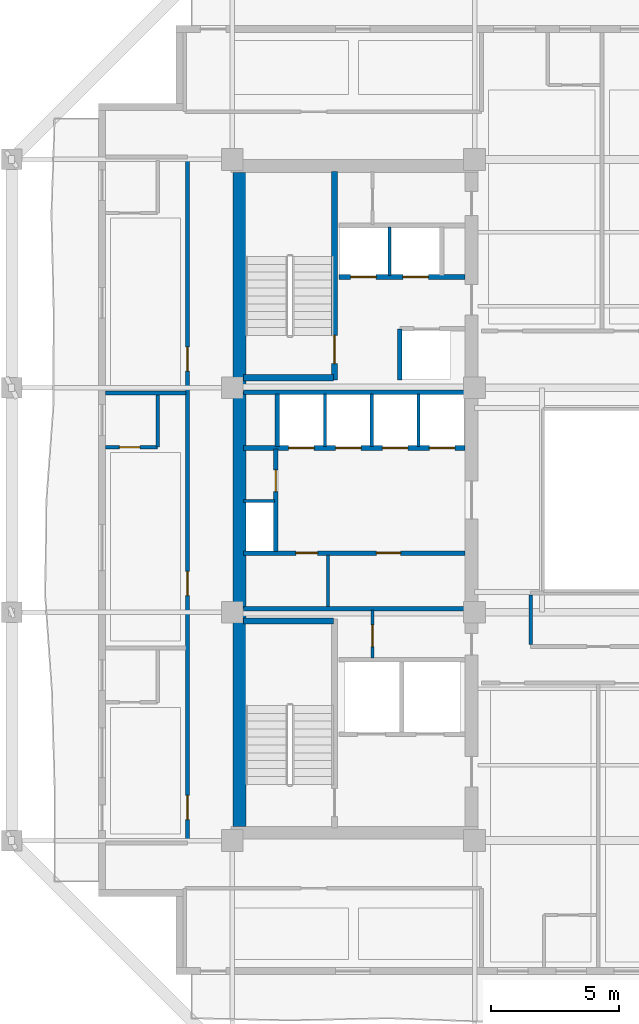
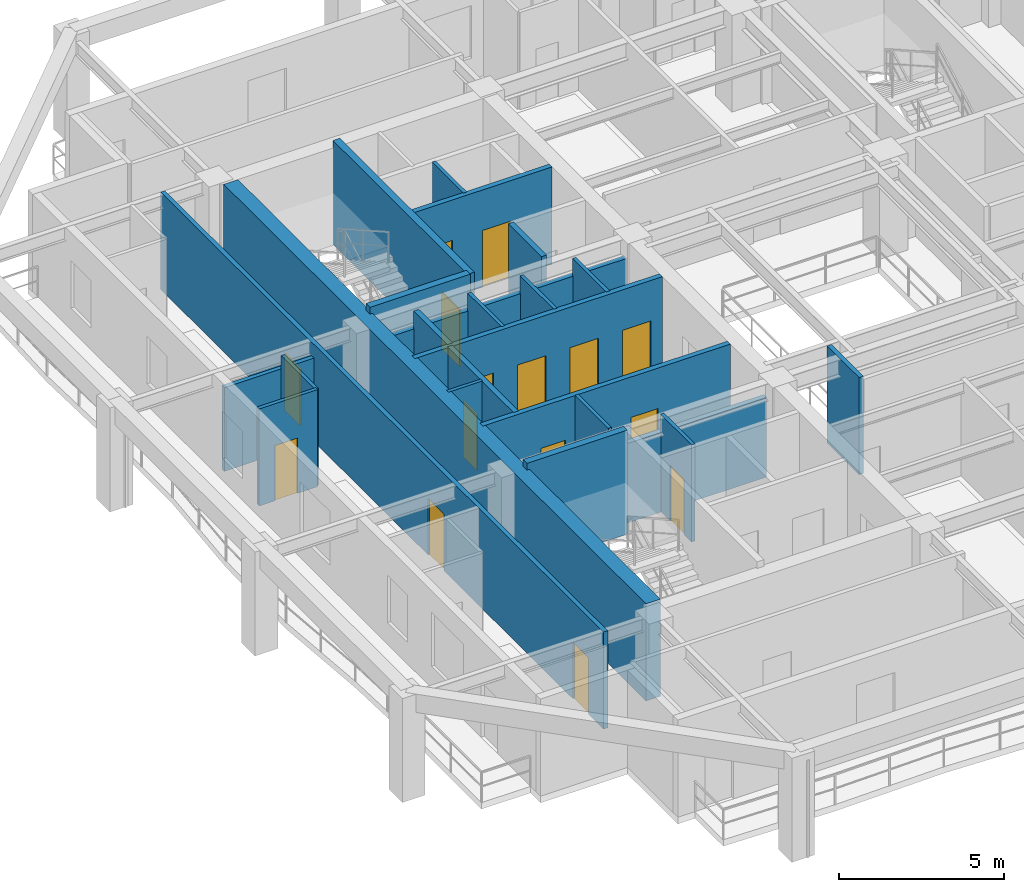
# One storey, part 4 of 12: 24 walls, 15 doors, 15 openings.
"""IFC4 building model written with IfcOpenShell, lengths in metres."""

from ifc_helpers import new_model, si_unit, direction, frame, frame_2d, origin, place, context, subcontext, project, spatial, rectangle, extrude, material, layer, layer_set, type_object, element, fill, save


model = new_model("IFC4")

# Units and contexts
model_context = context("Model", 3, precision=1e-05, world=origin(), true_north=direction((0.0, 1.0)))
body_context = subcontext(model_context, "Body", "Model", "MODEL_VIEW")
ifc_project = project(units=[si_unit("LENGTHUNIT", "METRE"), si_unit("AREAUNIT", "SQUARE_METRE"), si_unit("VOLUMEUNIT", "CUBIC_METRE"), si_unit("PLANEANGLEUNIT", "RADIAN"), si_unit("MASSUNIT", "GRAM", prefix="KILO")], contexts=[model_context])

# Site, building, storey
site_placement = place(None, origin())
site = spatial("IfcSite", under=ifc_project, at=site_placement, CompositionType="ELEMENT")
building_placement = place(site_placement, origin())
building = spatial("IfcBuilding", under=site, at=building_placement, Name="Kundavana Baori Tower", CompositionType="ELEMENT")
storey_placement = place(building_placement, frame((0.0, 0.0, 134.800048828125)))
storey = spatial("IfcBuildingStorey", under=building, at=storey_placement, Name="L32", CompositionType="ELEMENT", Elevation=134.800048828125)

# Wall
ifc_material_1 = material(Name="Concrete C50/60", Category="concrete")
ifc_layer_1 = layer(ifc_material_1, 0.39990234375, Name="WL-CORE-400")
ifc_layer_set_1 = layer_set([ifc_layer_1], Name="Concrete C50/60")
wall_type_1 = type_object("IfcWallType", Name="WL-CORE-400", PredefinedType="SHEAR", material=ifc_layer_set_1)
wall_1_placement = place(storey_placement, frame((15.89990234375, 23.860107421875, 0.0), z_axis=(0.0, 0.0, 1.0), x_axis=(1.0, 0.0, 0.0)))
element("IfcWall", 1, at=wall_1_placement, inside=storey, type_object=wall_type_1, Name="WL-L32-ST1-N", PredefinedType="SHEAR", context=body_context, shape_type="SweptSolid", body=[
    extrude(rectangle(XDim=3.52001953125, YDim=0.239990234375, at=frame_2d((1.760009765625, 0.0))), origin(), (0.0, 0.0, 1.0), 3.849853515625),
])

# Wall, opening, door
wall_2_placement = place(storey_placement, frame((19.4599609375, 33.300048828125, 0.0), z_axis=(0.0, 0.0, 1.0), x_axis=(0.0, 1.0, 0.0)))
wall_2 = element("IfcWall", 2, at=wall_2_placement, inside=storey, type_object=wall_type_1, Name="WL-L32-ST2-E", PredefinedType="SHEAR", context=body_context, shape_type="SweptSolid", body=[
    extrude(rectangle(XDim=8.179931640625, YDim=0.239990234375, at=frame_2d((4.08984375, 0.0))), origin(), (0.0, 0.0, 1.0), 3.849853515625),
])
opening_1_placement = place(wall_2_placement, frame((0.64990234375, 0.0, 0.0)))
opening_1 = element("IfcOpeningElement", 3, at=opening_1_placement, cuts=wall_2, Name="Opening FD-110", PredefinedType="OPENING", context=body_context, shape_type="SweptSolid", body=[
    extrude(rectangle(XDim=1.10009765625, YDim=2.10009765625, at=frame_2d((0.550048828125, 1.050048828125))), frame((0.0, 0.1298828125, 0.0), z_axis=(0.0, -1.0, 0.0), x_axis=(1.0, 0.0, 0.0)), (0.0, 0.0, 1.0), 0.260009765625),
])
ifc_material_2 = material(Name="Galvanised Steel Fire-Rated Door Leaf", Category="steel")
door_type_1 = type_object("IfcDoorType", Name="DR-FD120-1100", OperationType="NOTDEFINED", PredefinedType="DOOR", material=ifc_material_2)
door_1_placement = place(opening_1_placement, origin())
door_1 = element("IfcDoor", 4, at=door_1_placement, inside=storey, type_object=door_type_1, Name="DR-L32-ST2", OperationType="SINGLE_SWING_RIGHT", OverallHeight=2.10009765625, OverallWidth=1.10009765625, PredefinedType="DOOR", context=body_context, shape_type="SweptSolid", body=[
    extrude(rectangle(XDim=1.10009765625, YDim=2.10009765625, at=frame_2d((0.550048828125, 1.050048828125))), frame((0.0, 0.02490234375, 0.0), z_axis=(0.0, -1.0, 0.0), x_axis=(1.0, 0.0, 0.0)), (0.0, 0.0, 1.0), 0.050048828125),
])
fill(opening_1, door_1)

# Walls
wall_3_placement = place(storey_placement, frame((15.89990234375, 33.389892578125, 0.0), z_axis=(0.0, 0.0, 1.0), x_axis=(1.0, 0.0, 0.0)))
element("IfcWall", 5, at=wall_3_placement, inside=storey, type_object=wall_type_1, Name="WL-L32-ST2-S", PredefinedType="SHEAR", context=body_context, shape_type="SweptSolid", body=[
    extrude(rectangle(XDim=3.52001953125, YDim=0.239990234375, at=frame_2d((1.760009765625, 0.0))), origin(), (0.0, 0.0, 1.0), 3.849853515625),
])
ifc_material_3 = material(Name="Concrete C50/60", Category="concrete")
ifc_layer_2 = layer(ifc_material_3, 0.5, Name="WL-CORE-500")
ifc_layer_set_2 = layer_set([ifc_layer_2], Name="Concrete C50/60")
wall_type_2 = type_object("IfcWallType", Name="WL-CORE-500", PredefinedType="SHEAR", material=ifc_layer_set_2)
wall_4_placement = place(storey_placement, frame((15.739990234375, 15.81005859375, 0.0), z_axis=(0.0, 0.0, 1.0), x_axis=(0.0, 1.0, 0.0)))
element("IfcWall", 6, at=wall_4_placement, inside=storey, type_object=wall_type_2, Name="L32 Offset Core West Shear Wall", PredefinedType="SHEAR", context=body_context, shape_type="SweptSolid", body=[
    extrude(rectangle(XDim=25.6298828125, YDim=0.5, at=frame_2d((12.81494140625, 0.0))), origin(), (0.0, 0.0, 1.0), 3.599853515625),
])

# Wall, opening, door
ifc_material_4 = material(Name="Acoustic Gypsum Plasterboard on Galvanised Steel Studs", Category="steel")
ifc_layer_3 = layer(ifc_material_4, 0.1201171875, Name="WL-PART-120")
ifc_layer_set_3 = layer_set([ifc_layer_3], Name="Acoustic Gypsum Plasterboard on Galvanised Steel Studs")
wall_type_3 = type_object("IfcWallType", Name="WL-PART-120", PredefinedType="PARTITIONING", material=ifc_layer_set_3)
wall_5_placement = place(storey_placement, frame((20.949951171875, 22.39990234375, 0.0), z_axis=(0.0, 0.0, 1.0), x_axis=(0.0, 1.0, 0.0)))
wall_5 = element("IfcWall", 7, at=wall_5_placement, inside=storey, type_object=wall_type_3, Name="WL-L32-CSMK-D2", PredefinedType="PARTITIONING", context=body_context, shape_type="SweptSolid", body=[
    extrude(rectangle(XDim=1.880126953125, YDim=0.1201171875, at=frame_2d((0.93994140625, 0.0))), origin(), (0.0, 0.0, 1.0), 3.599853515625),
])
opening_2_placement = place(wall_5_placement, frame((0.449951171875, 0.0, 0.0)))
opening_2 = element("IfcOpeningElement", 8, at=opening_2_placement, cuts=wall_5, Name="Opening FD-085", PredefinedType="OPENING", context=body_context, shape_type="SweptSolid", body=[
    extrude(rectangle(XDim=0.85009765625, YDim=2.06005859375, at=frame_2d((0.425048828125, 1.030029296875))), frame((0.0, 0.070068359375, 0.0), z_axis=(0.0, -1.0, 0.0), x_axis=(1.0, 0.0, 0.0)), (0.0, 0.0, 1.0), 0.14013671875),
])
ifc_material_5 = material(Name="Galvanised Steel Fire-Rated Door Leaf", Category="steel")
door_type_2 = type_object("IfcDoorType", Name="DR-FD60-850", OperationType="NOTDEFINED", PredefinedType="DOOR", material=ifc_material_5)
door_2_placement = place(opening_2_placement, origin())
door_2 = element("IfcDoor", 9, at=door_2_placement, inside=storey, type_object=door_type_2, Name="DR-L32-CSMK1", OperationType="SINGLE_SWING_RIGHT", OverallHeight=2.06005859375, OverallWidth=0.85009765625, PredefinedType="DOOR", context=body_context, shape_type="SweptSolid", body=[
    extrude(rectangle(XDim=0.85009765625, YDim=2.06005859375, at=frame_2d((0.425048828125, 1.030029296875))), frame((0.0, 0.02490234375, 0.0), z_axis=(0.0, -1.0, 0.0), x_axis=(1.0, 0.0, 0.0)), (0.0, 0.0, 1.0), 0.050048828125),
])
fill(opening_2, door_2)

# Walls
wall_6_placement = place(storey_placement, frame((19.199951171875, 24.419921875, 0.0), z_axis=(0.0, 0.0, 1.0), x_axis=(0.0, 1.0, 0.0)))
element("IfcWall", 10, at=wall_6_placement, inside=storey, type_object=wall_type_3, Name="WL-L32-FRLOW-DIV", PredefinedType="PARTITIONING", context=body_context, shape_type="SweptSolid", body=[
    extrude(rectangle(XDim=2.02001953125, YDim=0.1201171875, at=frame_2d((1.010009765625, 0.0))), origin(), (0.0, 0.0, 1.0), 3.599853515625),
])
wall_7_placement = place(storey_placement, frame((15.89990234375, 28.56005859375, 0.0), z_axis=(0.0, 0.0, 1.0), x_axis=(1.0, 0.0, 0.0)))
element("IfcWall", 11, at=wall_7_placement, inside=storey, type_object=wall_type_3, Name="WL-L32-RSRW-N", PredefinedType="PARTITIONING", context=body_context, shape_type="SweptSolid", body=[
    extrude(rectangle(XDim=1.2001953125, YDim=0.1201171875, at=frame_2d((0.60009765625, 0.0))), origin(), (0.0, 0.0, 1.0), 3.599853515625),
])
for number, where, z_axis, x_axis, name in (
    (12, (19.080078125, 30.699951171875, 0.0), (0.0, 0.0, 1.0), (0.0, 1.0, 0.0), "WL-L32-LPMID-D1"),
    (13, (20.919921875, 30.699951171875, 0.0), (0.0, 0.0, 1.0), (0.0, 1.0, 0.0), "WL-L32-LPMID-D2"),
    (14, (22.760009765625, 30.699951171875, 0.0), (0.0, 0.0, 1.0), (0.0, 1.0, 0.0), "WL-L32-LPMID-D3"),
):
    element("IfcWall", number, at=place(storey_placement, frame(where, z_axis=z_axis, x_axis=x_axis)), inside=storey, type_object=wall_type_3, Name=name, PredefinedType="PARTITIONING", context=body_context, shape_type="SweptSolid", body=[
        extrude(rectangle(XDim=2.050048828125, YDim=0.1201171875, at=frame_2d((1.02490234375, 0.0))), origin(), (0.0, 0.0, 1.0), 3.599853515625),
    ])
wall_8_placement = place(storey_placement, frame((21.6201171875, 37.39990234375, 0.0), z_axis=(0.0, 0.0, 1.0), x_axis=(0.0, 1.0, 0.0)))
element("IfcWall", 15, at=wall_8_placement, inside=storey, type_object=wall_type_3, Name="WL-L32-HR-DIV1", PredefinedType="PARTITIONING", context=body_context, shape_type="SweptSolid", body=[
    extrude(rectangle(XDim=1.900146484375, YDim=0.1201171875, at=frame_2d((0.9501953125, 0.0))), origin(), (0.0, 0.0, 1.0), 3.599853515625),
])

# Wall, openings, doors
ifc_material_6 = material(Name="Fire-Rated Gypsum Drywall on Galvanised Steel Studs", Category="steel")
ifc_layer_4 = layer(ifc_material_6, 0.14990234375, Name="WL-PART-150")
ifc_layer_set_4 = layer_set([ifc_layer_4], Name="Fire-Rated Gypsum Drywall on Galvanised Steel Studs")
wall_type_4 = type_object("IfcWallType", Name="WL-PART-150", PredefinedType="PARTITIONING", material=ifc_layer_set_4)
wall_9_placement = place(storey_placement, frame((13.699951171875, 15.159912109375, 0.0), z_axis=(0.0, 0.0, 1.0), x_axis=(0.0, 1.0, 0.0)))
wall_9 = element("IfcWall", 16, at=wall_9_placement, inside=storey, type_object=wall_type_4, Name="WL-L32-HW", PredefinedType="PARTITIONING", context=body_context, shape_type="SweptSolid", body=[
    extrude(rectangle(XDim=26.880126953125, YDim=0.14990234375, at=frame_2d((13.43994140625, 0.0))), origin(), (0.0, 0.0, 1.0), 3.599853515625),
])
opening_3_placement = place(wall_9_placement, frame((0.909912109375, 0.0, 0.0)))
opening_3 = element("IfcOpeningElement", 17, at=opening_3_placement, cuts=wall_9, Name="Opening FD-095", PredefinedType="OPENING", context=body_context, shape_type="SweptSolid", body=[
    extrude(rectangle(XDim=0.949951171875, YDim=2.10009765625, at=frame_2d((0.47509765625, 1.050048828125))), frame((0.0, 0.0849609375, 0.0), z_axis=(0.0, -1.0, 0.0), x_axis=(1.0, 0.0, 0.0)), (0.0, 0.0, 1.0), 0.169921875),
])
opening_4_placement = place(wall_9_placement, frame((9.68994140625, 0.0, 0.0)))
opening_4 = element("IfcOpeningElement", 18, at=opening_4_placement, cuts=wall_9, Name="Opening FD-095", PredefinedType="OPENING", context=body_context, shape_type="SweptSolid", body=[
    extrude(rectangle(XDim=0.949951171875, YDim=2.10009765625, at=frame_2d((0.47509765625, 1.050048828125))), frame((0.0, 0.0849609375, 0.0), z_axis=(0.0, -1.0, 0.0), x_axis=(1.0, 0.0, 0.0)), (0.0, 0.0, 1.0), 0.169921875),
])
opening_5_placement = place(wall_9_placement, frame((18.489990234375, 0.0, 0.0)))
opening_5 = element("IfcOpeningElement", 19, at=opening_5_placement, cuts=wall_9, Name="Opening FD-095", PredefinedType="OPENING", context=body_context, shape_type="SweptSolid", body=[
    extrude(rectangle(XDim=0.949951171875, YDim=2.10009765625, at=frame_2d((0.47509765625, 1.050048828125))), frame((0.0, 0.0849609375, 0.0), z_axis=(0.0, -1.0, 0.0), x_axis=(1.0, 0.0, 0.0)), (0.0, 0.0, 1.0), 0.169921875),
])
ifc_material_7 = material(Name="Engineered Teak Fire-Rated Timber Door Leaf", Category="wood")
door_type_3 = type_object("IfcDoorType", Name="DR-FD60-950", OperationType="NOTDEFINED", PredefinedType="DOOR", material=ifc_material_7)
door_3_placement = place(opening_3_placement, origin())
door_3 = element("IfcDoor", 20, at=door_3_placement, inside=storey, type_object=door_type_3, Name="DR-L32-HK-W1-ENT", OperationType="SINGLE_SWING_LEFT", OverallHeight=2.10009765625, OverallWidth=0.949951171875, PredefinedType="DOOR", context=body_context, shape_type="SweptSolid", body=[
    extrude(rectangle(XDim=0.949951171875, YDim=2.10009765625, at=frame_2d((0.47509765625, 1.050048828125))), frame((0.0, 0.02490234375, 0.0), z_axis=(0.0, -1.0, 0.0), x_axis=(1.0, 0.0, 0.0)), (0.0, 0.0, 1.0), 0.050048828125),
])
fill(opening_3, door_3)
door_4_placement = place(opening_4_placement, origin())
door_4 = element("IfcDoor", 21, at=door_4_placement, inside=storey, type_object=door_type_3, Name="DR-L32-HK-W2-ENT", OperationType="SINGLE_SWING_LEFT", OverallHeight=2.10009765625, OverallWidth=0.949951171875, PredefinedType="DOOR", context=body_context, shape_type="SweptSolid", body=[
    extrude(rectangle(XDim=0.949951171875, YDim=2.10009765625, at=frame_2d((0.47509765625, 1.050048828125))), frame((0.0, 0.02490234375, 0.0), z_axis=(0.0, -1.0, 0.0), x_axis=(1.0, 0.0, 0.0)), (0.0, 0.0, 1.0), 0.050048828125),
])
fill(opening_4, door_4)
door_5_placement = place(opening_5_placement, origin())
door_5 = element("IfcDoor", 22, at=door_5_placement, inside=storey, type_object=door_type_3, Name="DR-L32-HK-W3-ENT", OperationType="SINGLE_SWING_LEFT", OverallHeight=2.10009765625, OverallWidth=0.949951171875, PredefinedType="DOOR", context=body_context, shape_type="SweptSolid", body=[
    extrude(rectangle(XDim=0.949951171875, YDim=2.10009765625, at=frame_2d((0.47509765625, 1.050048828125))), frame((0.0, 0.02490234375, 0.0), z_axis=(0.0, -1.0, 0.0), x_axis=(1.0, 0.0, 0.0)), (0.0, 0.0, 1.0), 0.050048828125),
])
fill(opening_5, door_5)

# Walls
wall_10_placement = place(storey_placement, frame((27.14990234375, 22.93994140625, 0.0), z_axis=(0.0, 0.0, 1.0), x_axis=(0.0, 1.0, 0.0)))
element("IfcWall", 23, at=wall_10_placement, inside=storey, type_object=wall_type_4, Name="WL-L32-HPN2", PredefinedType="PARTITIONING", context=body_context, shape_type="SweptSolid", body=[
    extrude(rectangle(XDim=1.93994140625, YDim=0.14990234375, at=frame_2d((0.969970703125, 0.0))), origin(), (0.0, 0.0, 1.0), 3.599853515625),
])
wall_11_placement = place(storey_placement, frame((10.47998046875, 32.800048828125, 0.0), z_axis=(0.0, 0.0, 1.0), x_axis=(1.0, 0.0, 0.0)))
element("IfcWall", 24, at=wall_11_placement, inside=storey, type_object=wall_type_4, Name="WL-L32-HWD2", PredefinedType="PARTITIONING", context=body_context, shape_type="SweptSolid", body=[
    extrude(rectangle(XDim=3.159912109375, YDim=0.14990234375, at=frame_2d((1.580078125, 0.0))), origin(), (0.0, 0.0, 1.0), 3.099853515625),
])

# Wall, openings, doors
ifc_material_8 = material(Name="Autoclaved Aerated Concrete Blockwork Masonry", Category="masonry")
ifc_layer_5 = layer(ifc_material_8, 0.179931640625, Name="WL-SHAFT-180")
ifc_layer_set_5 = layer_set([ifc_layer_5], Name="Autoclaved Aerated Concrete Blockwork Masonry")
wall_type_5 = type_object("IfcWallType", Name="WL-SHAFT-180", PredefinedType="SOLIDWALL", material=ifc_layer_set_5)
wall_12_placement = place(storey_placement, frame((15.89990234375, 26.52001953125, 0.0), z_axis=(0.0, 0.0, 1.0), x_axis=(1.0, 0.0, 0.0)))
wall_12 = element("IfcWall", 25, at=wall_12_placement, inside=storey, type_object=wall_type_5, Name="WL-L32-LPLOW-N", PredefinedType="SOLIDWALL", context=body_context, shape_type="SweptSolid", body=[
    extrude(rectangle(XDim=8.68017578125, YDim=0.179931640625, at=frame_2d((4.340087890625, 0.0))), origin(), (0.0, 0.0, 1.0), 3.599853515625),
])
opening_6_placement = place(wall_12_placement, frame((2.050048828125, 0.0, 0.0)))
opening_6 = element("IfcOpeningElement", 26, at=opening_6_placement, cuts=wall_12, Name="Opening FD-085", PredefinedType="OPENING", context=body_context, shape_type="SweptSolid", body=[
    extrude(rectangle(XDim=0.85009765625, YDim=2.06005859375, at=frame_2d((0.425048828125, 1.030029296875))), frame((0.0, 0.10009765625, 0.0), z_axis=(0.0, -1.0, 0.0), x_axis=(1.0, 0.0, 0.0)), (0.0, 0.0, 1.0), 0.199951171875),
])
opening_7_placement = place(wall_12_placement, frame((5.199951171875, 0.0, 0.0)))
opening_7 = element("IfcOpeningElement", 27, at=opening_7_placement, cuts=wall_12, Name="Opening FD-095", PredefinedType="OPENING", context=body_context, shape_type="SweptSolid", body=[
    extrude(rectangle(XDim=0.949951171875, YDim=2.10009765625, at=frame_2d((0.47509765625, 1.050048828125))), frame((0.0, 0.10009765625, 0.0), z_axis=(0.0, -1.0, 0.0), x_axis=(1.0, 0.0, 0.0)), (0.0, 0.0, 1.0), 0.199951171875),
])
door_6_placement = place(opening_6_placement, origin())
door_6 = element("IfcDoor", 28, at=door_6_placement, inside=storey, type_object=door_type_2, Name="DR-L32-FRLOW1", OperationType="SINGLE_SWING_LEFT", OverallHeight=2.06005859375, OverallWidth=0.85009765625, PredefinedType="DOOR", context=body_context, shape_type="SweptSolid", body=[
    extrude(rectangle(XDim=0.85009765625, YDim=2.06005859375, at=frame_2d((0.425048828125, 1.030029296875))), frame((0.0, 0.02490234375, 0.0), z_axis=(0.0, -1.0, 0.0), x_axis=(1.0, 0.0, 0.0)), (0.0, 0.0, 1.0), 0.050048828125),
])
fill(opening_6, door_6)
door_7_placement = place(opening_7_placement, origin())
door_7 = element("IfcDoor", 29, at=door_7_placement, inside=storey, type_object=door_type_3, Name="DR-L32-FRLOW2", OperationType="SINGLE_SWING_RIGHT", OverallHeight=2.10009765625, OverallWidth=0.949951171875, PredefinedType="DOOR", context=body_context, shape_type="SweptSolid", body=[
    extrude(rectangle(XDim=0.949951171875, YDim=2.10009765625, at=frame_2d((0.47509765625, 1.050048828125))), frame((0.0, 0.02490234375, 0.0), z_axis=(0.0, -1.0, 0.0), x_axis=(1.0, 0.0, 0.0)), (0.0, 0.0, 1.0), 0.050048828125),
])
fill(opening_7, door_7)

# Wall
wall_13_placement = place(storey_placement, frame((15.89990234375, 24.330078125, 0.0), z_axis=(0.0, 0.0, 1.0), x_axis=(1.0, 0.0, 0.0)))
element("IfcWall", 30, at=wall_13_placement, inside=storey, type_object=wall_type_5, Name="WL-L32-LPLOW-S", PredefinedType="SOLIDWALL", context=body_context, shape_type="SweptSolid", body=[
    extrude(rectangle(XDim=8.68017578125, YDim=0.179931640625, at=frame_2d((4.340087890625, 0.0))), origin(), (0.0, 0.0, 1.0), 2.949951171875),
])

# Wall, opening, door
wall_14_placement = place(storey_placement, frame((17.159912109375, 26.580078125, 0.0), z_axis=(0.0, 0.0, 1.0), x_axis=(0.0, 1.0, 0.0)))
wall_14 = element("IfcWall", 31, at=wall_14_placement, inside=storey, type_object=wall_type_5, Name="WL-L32-RSRW-E", PredefinedType="SOLIDWALL", context=body_context, shape_type="SweptSolid", body=[
    extrude(rectangle(XDim=4.02001953125, YDim=0.179931640625, at=frame_2d((2.010009765625, 0.0))), origin(), (0.0, 0.0, 1.0), 3.599853515625),
])
opening_8_placement = place(wall_14_placement, frame((2.35009765625, 0.0, 0.0)))
opening_8 = element("IfcOpeningElement", 32, at=opening_8_placement, cuts=wall_14, Name="Opening FD-085", PredefinedType="OPENING", context=body_context, shape_type="SweptSolid", body=[
    extrude(rectangle(XDim=0.85009765625, YDim=2.06005859375, at=frame_2d((0.425048828125, 1.030029296875))), frame((0.0, 0.10009765625, 0.0), z_axis=(0.0, -1.0, 0.0), x_axis=(1.0, 0.0, 0.0)), (0.0, 0.0, 1.0), 0.199951171875),
])
door_8_placement = place(opening_8_placement, origin())
door_8 = element("IfcDoor", 33, at=door_8_placement, inside=storey, type_object=door_type_2, Name="DR-L32-CLN", OperationType="SINGLE_SWING_RIGHT", OverallHeight=2.06005859375, OverallWidth=0.85009765625, PredefinedType="DOOR", context=body_context, shape_type="SweptSolid", body=[
    extrude(rectangle(XDim=0.85009765625, YDim=2.06005859375, at=frame_2d((0.425048828125, 1.030029296875))), frame((0.0, 0.02490234375, 0.0), z_axis=(0.0, -1.0, 0.0), x_axis=(1.0, 0.0, 0.0)), (0.0, 0.0, 1.0), 0.050048828125),
])
fill(opening_8, door_8)

# Wall, openings, doors
wall_15_placement = place(storey_placement, frame((15.89990234375, 30.639892578125, 0.0), z_axis=(0.0, 0.0, 1.0), x_axis=(1.0, 0.0, 0.0)))
wall_15 = element("IfcWall", 34, at=wall_15_placement, inside=storey, type_object=wall_type_5, Name="WL-L32-LPMID-S", PredefinedType="SOLIDWALL", context=body_context, shape_type="SweptSolid", body=[
    extrude(rectangle(XDim=8.68017578125, YDim=0.179931640625, at=frame_2d((4.340087890625, 0.0))), origin(), (0.0, 0.0, 1.0), 3.599853515625),
])
opening_9_placement = place(wall_15_placement, frame((1.760009765625, 0.0, 0.0)))
opening_9 = element("IfcOpeningElement", 35, at=opening_9_placement, cuts=wall_15, Name="Opening LD-100", PredefinedType="OPENING", context=body_context, shape_type="SweptSolid", body=[
    extrude(rectangle(XDim=1.0, YDim=2.10009765625, at=frame_2d((0.5, 1.050048828125))), frame((0.0, 0.10009765625, 0.0), z_axis=(0.0, -1.0, 0.0), x_axis=(1.0, 0.0, 0.0)), (0.0, 0.0, 1.0), 0.199951171875),
])
opening_10_placement = place(wall_15_placement, frame((3.60009765625, 0.0, 0.0)))
opening_10 = element("IfcOpeningElement", 36, at=opening_10_placement, cuts=wall_15, Name="Opening LD-100", PredefinedType="OPENING", context=body_context, shape_type="SweptSolid", body=[
    extrude(rectangle(XDim=1.0, YDim=2.10009765625, at=frame_2d((0.5, 1.050048828125))), frame((0.0, 0.10009765625, 0.0), z_axis=(0.0, -1.0, 0.0), x_axis=(1.0, 0.0, 0.0)), (0.0, 0.0, 1.0), 0.199951171875),
])
opening_11_placement = place(wall_15_placement, frame((5.43994140625, 0.0, 0.0)))
opening_11 = element("IfcOpeningElement", 37, at=opening_11_placement, cuts=wall_15, Name="Opening LD-100", PredefinedType="OPENING", context=body_context, shape_type="SweptSolid", body=[
    extrude(rectangle(XDim=1.0, YDim=2.10009765625, at=frame_2d((0.5, 1.050048828125))), frame((0.0, 0.10009765625, 0.0), z_axis=(0.0, -1.0, 0.0), x_axis=(1.0, 0.0, 0.0)), (0.0, 0.0, 1.0), 0.199951171875),
])
opening_12_placement = place(wall_15_placement, frame((7.280029296875, 0.0, 0.0)))
opening_12 = element("IfcOpeningElement", 38, at=opening_12_placement, cuts=wall_15, Name="Opening LD-100", PredefinedType="OPENING", context=body_context, shape_type="SweptSolid", body=[
    extrude(rectangle(XDim=1.0, YDim=2.10009765625, at=frame_2d((0.5, 1.050048828125))), frame((0.0, 0.10009765625, 0.0), z_axis=(0.0, -1.0, 0.0), x_axis=(1.0, 0.0, 0.0)), (0.0, 0.0, 1.0), 0.199951171875),
])
ifc_material_9 = material(Name="Galvanised Steel Fire-Rated Door Leaf", Category="steel")
door_type_4 = type_object("IfcDoorType", Name="DR-SLIDE-LD1000", OperationType="NOTDEFINED", PredefinedType="DOOR", material=ifc_material_9)
door_9_placement = place(opening_9_placement, frame((1.0, 0.0, 0.0), z_axis=(0.0, 0.0, 1.0), x_axis=(-1.0, 0.0, 0.0)))
door_9 = element("IfcDoor", 39, at=door_9_placement, inside=storey, type_object=door_type_4, Name="DR-L32-LD-LP-05", OperationType="DOUBLE_DOOR_SLIDING", OverallHeight=2.10009765625, OverallWidth=1.0, PredefinedType="DOOR", context=body_context, shape_type="SweptSolid", body=[
    extrude(rectangle(XDim=1.0, YDim=2.10009765625, at=frame_2d((0.5, 1.050048828125))), frame((0.0, 0.02490234375, 0.0), z_axis=(0.0, -1.0, 0.0), x_axis=(1.0, 0.0, 0.0)), (0.0, 0.0, 1.0), 0.050048828125),
])
fill(opening_9, door_9)
door_10_placement = place(opening_10_placement, frame((1.0, 0.0, 0.0), z_axis=(0.0, 0.0, 1.0), x_axis=(-1.0, 0.0, 0.0)))
door_10 = element("IfcDoor", 40, at=door_10_placement, inside=storey, type_object=door_type_4, Name="DR-L32-LD-LP-06", OperationType="DOUBLE_DOOR_SLIDING", OverallHeight=2.10009765625, OverallWidth=1.0, PredefinedType="DOOR", context=body_context, shape_type="SweptSolid", body=[
    extrude(rectangle(XDim=1.0, YDim=2.10009765625, at=frame_2d((0.5, 1.050048828125))), frame((0.0, 0.02490234375, 0.0), z_axis=(0.0, -1.0, 0.0), x_axis=(1.0, 0.0, 0.0)), (0.0, 0.0, 1.0), 0.050048828125),
])
fill(opening_10, door_10)
door_11_placement = place(opening_11_placement, frame((1.0, 0.0, 0.0), z_axis=(0.0, 0.0, 1.0), x_axis=(-1.0, 0.0, 0.0)))
door_11 = element("IfcDoor", 41, at=door_11_placement, inside=storey, type_object=door_type_4, Name="DR-L32-LD-LP-07", OperationType="DOUBLE_DOOR_SLIDING", OverallHeight=2.10009765625, OverallWidth=1.0, PredefinedType="DOOR", context=body_context, shape_type="SweptSolid", body=[
    extrude(rectangle(XDim=1.0, YDim=2.10009765625, at=frame_2d((0.5, 1.050048828125))), frame((0.0, 0.02490234375, 0.0), z_axis=(0.0, -1.0, 0.0), x_axis=(1.0, 0.0, 0.0)), (0.0, 0.0, 1.0), 0.050048828125),
])
fill(opening_11, door_11)
door_12_placement = place(opening_12_placement, frame((1.0, 0.0, 0.0), z_axis=(0.0, 0.0, 1.0), x_axis=(-1.0, 0.0, 0.0)))
door_12 = element("IfcDoor", 42, at=door_12_placement, inside=storey, type_object=door_type_4, Name="DR-L32-LD-LP-08", OperationType="DOUBLE_DOOR_SLIDING", OverallHeight=2.10009765625, OverallWidth=1.0, PredefinedType="DOOR", context=body_context, shape_type="SweptSolid", body=[
    extrude(rectangle(XDim=1.0, YDim=2.10009765625, at=frame_2d((0.5, 1.050048828125))), frame((0.0, 0.02490234375, 0.0), z_axis=(0.0, -1.0, 0.0), x_axis=(1.0, 0.0, 0.0)), (0.0, 0.0, 1.0), 0.050048828125),
])
fill(opening_12, door_12)

# Walls
wall_16_placement = place(storey_placement, frame((15.89990234375, 32.820068359375, 0.0), z_axis=(0.0, 0.0, 1.0), x_axis=(1.0, 0.0, 0.0)))
element("IfcWall", 43, at=wall_16_placement, inside=storey, type_object=wall_type_5, Name="WL-L32-LPMID-N", PredefinedType="SOLIDWALL", context=body_context, shape_type="SweptSolid", body=[
    extrude(rectangle(XDim=8.68017578125, YDim=0.179931640625, at=frame_2d((4.340087890625, 0.0))), origin(), (0.0, 0.0, 1.0), 2.949951171875),
])
wall_17_placement = place(storey_placement, frame((17.219970703125, 30.699951171875, 0.0), z_axis=(0.0, 0.0, 1.0), x_axis=(0.0, 1.0, 0.0)))
element("IfcWall", 44, at=wall_17_placement, inside=storey, type_object=wall_type_5, Name="WL-L32-LPMID-W", PredefinedType="SOLIDWALL", context=body_context, shape_type="SweptSolid", body=[
    extrude(rectangle(XDim=2.050048828125, YDim=0.179931640625, at=frame_2d((1.02490234375, 0.0))), origin(), (0.0, 0.0, 1.0), 3.599853515625),
])
wall_18_placement = place(storey_placement, frame((22.02001953125, 33.300048828125, 0.0), z_axis=(0.0, 0.0, 1.0), x_axis=(0.0, 1.0, 0.0)))
element("IfcWall", 45, at=wall_18_placement, inside=storey, type_object=wall_type_5, Name="WL-L32-LP11-W", PredefinedType="SOLIDWALL", context=body_context, shape_type="SweptSolid", body=[
    extrude(rectangle(XDim=2.010009765625, YDim=0.179931640625, at=frame_2d((1.0048828125, 0.0))), origin(), (0.0, 0.0, 1.0), 3.599853515625),
])

# Wall, openings, doors
wall_19_placement = place(storey_placement, frame((19.639892578125, 37.340087890625, 0.0), z_axis=(0.0, 0.0, 1.0), x_axis=(1.0, 0.0, 0.0)))
wall_19 = element("IfcWall", 46, at=wall_19_placement, inside=storey, type_object=wall_type_5, Name="WL-L32-HRLOB-N", PredefinedType="SOLIDWALL", context=body_context, shape_type="SweptSolid", body=[
    extrude(rectangle(XDim=4.940185546875, YDim=0.179931640625, at=frame_2d((2.47021484375, 0.0))), origin(), (0.0, 0.0, 1.0), 3.599853515625),
])
opening_13_placement = place(wall_19_placement, frame((0.449951171875, 0.0, 0.0)))
opening_13 = element("IfcOpeningElement", 47, at=opening_13_placement, cuts=wall_19, Name="Opening LD-100", PredefinedType="OPENING", context=body_context, shape_type="SweptSolid", body=[
    extrude(rectangle(XDim=1.0, YDim=2.10009765625, at=frame_2d((0.5, 1.050048828125))), frame((0.0, 0.10009765625, 0.0), z_axis=(0.0, -1.0, 0.0), x_axis=(1.0, 0.0, 0.0)), (0.0, 0.0, 1.0), 0.199951171875),
])
opening_14_placement = place(wall_19_placement, frame((2.5, 0.0, 0.0)))
opening_14 = element("IfcOpeningElement", 48, at=opening_14_placement, cuts=wall_19, Name="Opening LD-100", PredefinedType="OPENING", context=body_context, shape_type="SweptSolid", body=[
    extrude(rectangle(XDim=1.0, YDim=2.10009765625, at=frame_2d((0.5, 1.050048828125))), frame((0.0, 0.10009765625, 0.0), z_axis=(0.0, -1.0, 0.0), x_axis=(1.0, 0.0, 0.0)), (0.0, 0.0, 1.0), 0.199951171875),
])
door_13_placement = place(opening_13_placement, frame((1.0, 0.0, 0.0), z_axis=(0.0, 0.0, 1.0), x_axis=(-1.0, 0.0, 0.0)))
door_13 = element("IfcDoor", 49, at=door_13_placement, inside=storey, type_object=door_type_4, Name="DR-L32-LD-LP09", OperationType="DOUBLE_DOOR_SLIDING", OverallHeight=2.10009765625, OverallWidth=1.0, PredefinedType="DOOR", context=body_context, shape_type="SweptSolid", body=[
    extrude(rectangle(XDim=1.0, YDim=2.10009765625, at=frame_2d((0.5, 1.050048828125))), frame((0.0, 0.02490234375, 0.0), z_axis=(0.0, -1.0, 0.0), x_axis=(1.0, 0.0, 0.0)), (0.0, 0.0, 1.0), 0.050048828125),
])
fill(opening_13, door_13)
door_14_placement = place(opening_14_placement, frame((1.0, 0.0, 0.0), z_axis=(0.0, 0.0, 1.0), x_axis=(-1.0, 0.0, 0.0)))
door_14 = element("IfcDoor", 50, at=door_14_placement, inside=storey, type_object=door_type_4, Name="DR-L32-LD-LP10", OperationType="DOUBLE_DOOR_SLIDING", OverallHeight=2.10009765625, OverallWidth=1.0, PredefinedType="DOOR", context=body_context, shape_type="SweptSolid", body=[
    extrude(rectangle(XDim=1.0, YDim=2.10009765625, at=frame_2d((0.5, 1.050048828125))), frame((0.0, 0.02490234375, 0.0), z_axis=(0.0, -1.0, 0.0), x_axis=(1.0, 0.0, 0.0)), (0.0, 0.0, 1.0), 0.050048828125),
])
fill(opening_14, door_14)

# Wall
ifc_material_10 = material(Name="Autoclaved Aerated Concrete Blockwork Masonry", Category="masonry")
ifc_layer_6 = layer(ifc_material_10, 0.125, Name="WL-WET-120")
ifc_layer_set_6 = layer_set([ifc_layer_6], Name="Autoclaved Aerated Concrete Blockwork Masonry")
wall_type_6 = type_object("IfcWallType", Name="WL-WET-120", PredefinedType="PLUMBINGWALL", material=ifc_layer_set_6)
wall_20_placement = place(storey_placement, frame((12.530029296875, 30.669921875, 0.0), z_axis=(0.0, 0.0, 1.0), x_axis=(0.0, 1.0, 0.0)))
element("IfcWall", 51, at=wall_20_placement, inside=storey, type_object=wall_type_6, Name="WL-L32-HK-W2-BE", PredefinedType="PLUMBINGWALL", context=body_context, shape_type="SweptSolid", body=[
    extrude(rectangle(XDim=2.050048828125, YDim=0.125, at=frame_2d((1.02490234375, 0.0))), origin(), (0.0, 0.0, 1.0), 3.599853515625),
])

# Wall, opening, door
wall_21_placement = place(storey_placement, frame((10.47998046875, 30.669921875, 0.0), z_axis=(0.0, 0.0, 1.0), x_axis=(1.0, 0.0, 0.0)))
wall_21 = element("IfcWall", 52, at=wall_21_placement, inside=storey, type_object=wall_type_6, Name="WL-L32-HK-W2-BS", PredefinedType="PLUMBINGWALL", context=body_context, shape_type="SweptSolid", body=[
    extrude(rectangle(XDim=2.050048828125, YDim=0.125, at=frame_2d((1.02490234375, 0.0))), origin(), (0.0, 0.0, 1.0), 3.599853515625),
])
opening_15_placement = place(wall_21_placement, frame((0.550048828125, 0.0, 0.0)))
opening_15 = element("IfcOpeningElement", 53, at=opening_15_placement, cuts=wall_21, Name="Opening WD-080", PredefinedType="OPENING", context=body_context, shape_type="SweptSolid", body=[
    extrude(rectangle(XDim=0.800048828125, YDim=2.050048828125, at=frame_2d((0.39990234375, 1.02490234375))), frame((0.0, 0.072509765625, 0.0), z_axis=(0.0, -1.0, 0.0), x_axis=(1.0, 0.0, 0.0)), (0.0, 0.0, 1.0), 0.14501953125),
])
ifc_material_11 = material(Name="Engineered Teak Solid-Core Timber Veneer", Category="wood")
door_type_5 = type_object("IfcDoorType", Name="DR-WET-800", OperationType="NOTDEFINED", PredefinedType="DOOR", material=ifc_material_11)
door_15_placement = place(opening_15_placement, frame((0.800048828125, 0.0, 0.0), z_axis=(0.0, 0.0, 1.0), x_axis=(-1.0, 0.0, 0.0)))
door_15 = element("IfcDoor", 54, at=door_15_placement, inside=storey, type_object=door_type_5, Name="DR-L32-HK-W2-ENS", OperationType="SINGLE_SWING_LEFT", OverallHeight=2.050048828125, OverallWidth=0.800048828125, PredefinedType="DOOR", context=body_context, shape_type="SweptSolid", body=[
    extrude(rectangle(XDim=0.800048828125, YDim=2.050048828125, at=frame_2d((0.39990234375, 1.02490234375))), frame((0.0, 0.02490234375, 0.0), z_axis=(0.0, -1.0, 0.0), x_axis=(1.0, 0.0, 0.0)), (0.0, 0.0, 1.0), 0.050048828125),
])
fill(opening_15, door_15)

save(model, "model.ifc")
